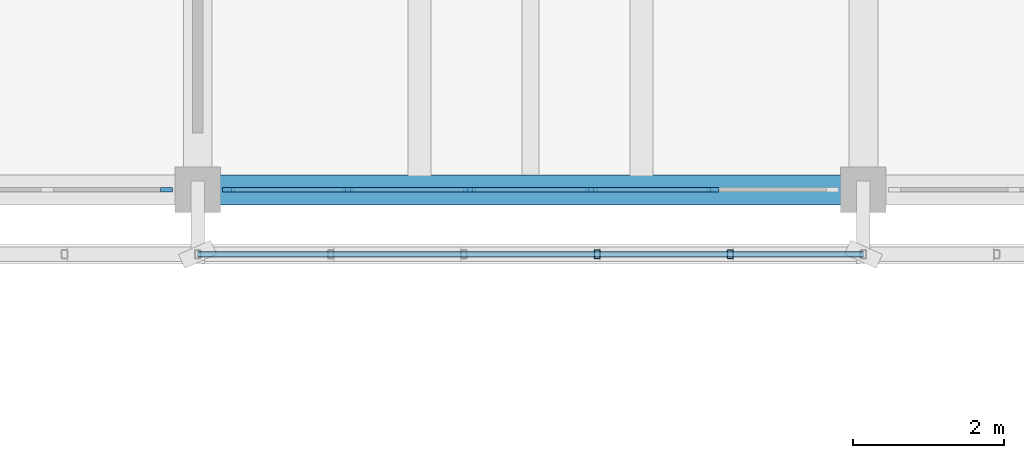
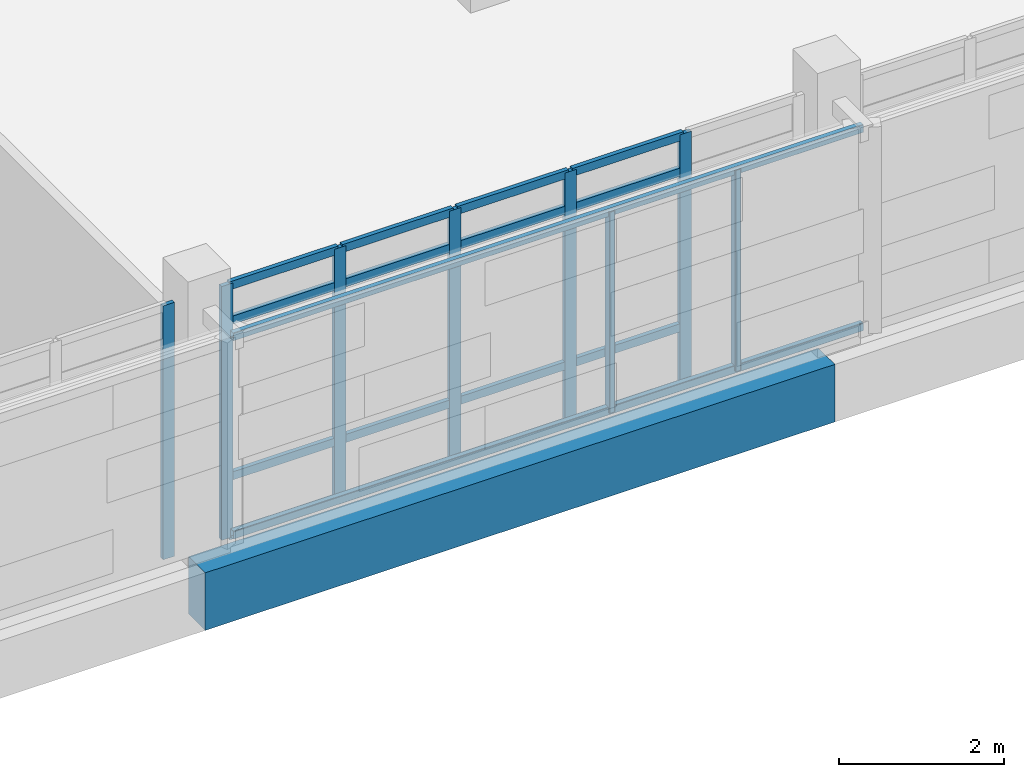
# One storey, part 65 of 137: 26 members, 1 beam, 2 elements without a shape of their own.
"""IFC4 building model written with IfcOpenShell, lengths in metres."""

from ifc_helpers import new_model, si_unit, direction, frame, origin, origin_2d, place, context, subcontext, project, spatial, rectangle, hollow_rectangle, extrude, material, material_profile, profile_set, type_object, element, aggregate, save


model = new_model("IFC4")

# Units and contexts
model_context = context("Model", 3, precision=1e-05, world=origin(), true_north=direction((0.0, 1.0)))
body_context = subcontext(model_context, "Body", "Model", "MODEL_VIEW")
ifc_project = project(units=[si_unit("LENGTHUNIT", "METRE"), si_unit("AREAUNIT", "SQUARE_METRE"), si_unit("VOLUMEUNIT", "CUBIC_METRE"), si_unit("PLANEANGLEUNIT", "RADIAN"), si_unit("MASSUNIT", "GRAM", prefix="KILO")], contexts=[model_context])

# Site, building, storey
site_placement = place(None, origin())
site = spatial("IfcSite", under=ifc_project, at=site_placement, CompositionType="ELEMENT")
building_placement = place(site_placement, origin())
building = spatial("IfcBuilding", under=site, at=building_placement, Name="Cinderway Yard Community Centre", CompositionType="ELEMENT")
storey_placement = place(building_placement, frame((0.0, 0.0, 4.800048828125)))
storey = spatial("IfcBuildingStorey", under=building, at=storey_placement, Name="L01", CompositionType="ELEMENT", Elevation=4.800048828125)

# Curtain wall, member
ifc_material_1 = material(Name="Aluminium 6063-T6", Category="aluminium")
curtain_wall_type = type_object("IfcCurtainWallType", Name="ENV-CW-TYPE-27", PredefinedType="USERDEFINED", material=ifc_material_1)
curtain_wall_1_placement = place(storey_placement, origin())
curtain_wall_1 = element("IfcCurtainWall", 1, at=curtain_wall_1_placement, inside=storey, type_object=curtain_wall_type, Name="V4 Courtyard Curtain Wall ENV-CW-L01-ST-0136", ObjectType="GLAZED CURTAIN WALL", PredefinedType="USERDEFINED")
ifc_material_profile_1 = material_profile(ifc_material_1, rectangle(XDim=0.06005859375, YDim=0.159912109375, at=origin_2d()), Name="Aluminium 6063-T6")
ifc_profile_set_1 = profile_set([ifc_material_profile_1], Name="Aluminium 6063-T6")
member_type_1 = type_object("IfcMemberType", Name="ENV-CW-MULL-150", PredefinedType="MULLION", material=ifc_profile_set_1)
member_1_placement = place(storey_placement, frame((127.590087890625, 90.0, 0.0), z_axis=(0.0, 0.0, 1.0), x_axis=(0.0, 1.0, 0.0)))
member_1 = element("IfcMember", 2, at=member_1_placement, type_object=member_type_1, Name="CW-27 mullion 6", PredefinedType="MULLION", context=body_context, shape_type="SweptSolid", body=[
    extrude(rectangle(XDim=0.06005859375, YDim=0.159912109375, at=origin_2d()), origin(), (0.0, 0.0, 1.0), 3.75),
])
aggregate(curtain_wall_1, [member_1])

# Curtain wall, members
curtain_wall_2_placement = place(storey_placement, origin())
curtain_wall_2 = element("IfcCurtainWall", 3, at=curtain_wall_2_placement, inside=storey, type_object=curtain_wall_type, Name="V4 Courtyard Curtain Wall ENV-CW-L01-ST-0137", ObjectType="GLAZED CURTAIN WALL", PredefinedType="USERDEFINED")
member_2_placement = place(storey_placement, frame((128.409912109375, 90.0, 0.0), z_axis=(0.0, 0.0, 1.0), x_axis=(0.0, 1.0, 0.0)))
member_2 = element("IfcMember", 4, at=member_2_placement, type_object=member_type_1, Name="CW-27 mullion 1", PredefinedType="MULLION", context=body_context, shape_type="SweptSolid", body=[
    extrude(rectangle(XDim=0.06005859375, YDim=0.159912109375, at=origin_2d()), origin(), (0.0, 0.0, 1.0), 3.75),
])
member_3_placement = place(storey_placement, frame((129.988037109375, 90.0, 0.0), z_axis=(0.0, 0.0, 1.0), x_axis=(0.0, 1.0, 0.0)))
member_3 = element("IfcMember", 5, at=member_3_placement, type_object=member_type_1, Name="CW-27 mullion 2", PredefinedType="MULLION", context=body_context, shape_type="SweptSolid", body=[
    extrude(rectangle(XDim=0.06005859375, YDim=0.159912109375, at=origin_2d()), origin(), (0.0, 0.0, 1.0), 3.75),
])
member_4_placement = place(storey_placement, frame((131.595947265625, 90.0, 0.0), z_axis=(0.0, 0.0, 1.0), x_axis=(0.0, 1.0, 0.0)))
member_4 = element("IfcMember", 6, at=member_4_placement, type_object=member_type_1, Name="CW-27 mullion 3", PredefinedType="MULLION", context=body_context, shape_type="SweptSolid", body=[
    extrude(rectangle(XDim=0.06005859375, YDim=0.159912109375, at=origin_2d()), origin(), (0.0, 0.0, 1.0), 3.75),
])
member_5_placement = place(storey_placement, frame((133.2041015625, 90.0, 0.0), z_axis=(0.0, 0.0, 1.0), x_axis=(0.0, 1.0, 0.0)))
member_5 = element("IfcMember", 7, at=member_5_placement, type_object=member_type_1, Name="CW-27 mullion 4", PredefinedType="MULLION", context=body_context, shape_type="SweptSolid", body=[
    extrude(rectangle(XDim=0.06005859375, YDim=0.159912109375, at=origin_2d()), origin(), (0.0, 0.0, 1.0), 3.75),
])
member_6_placement = place(storey_placement, frame((134.81201171875, 90.0, 0.0), z_axis=(0.0, 0.0, 1.0), x_axis=(0.0, 1.0, 0.0)))
member_6 = element("IfcMember", 8, at=member_6_placement, type_object=member_type_1, Name="CW-27 mullion 5", PredefinedType="MULLION", context=body_context, shape_type="SweptSolid", body=[
    extrude(rectangle(XDim=0.06005859375, YDim=0.159912109375, at=origin_2d()), origin(), (0.0, 0.0, 1.0), 3.75),
])
ifc_material_profile_2 = material_profile(ifc_material_1, rectangle(XDim=0.06005859375, YDim=0.1201171875, at=origin_2d()), Name="Aluminium 6063-T6")
ifc_profile_set_2 = profile_set([ifc_material_profile_2], Name="Aluminium 6063-T6")
member_type_2 = type_object("IfcMemberType", Name="ENV-CW-TRAN-110", PredefinedType="USERDEFINED", material=ifc_profile_set_2)
member_7_placement = place(storey_placement, frame((128.43994140625, 90.0, 0.030029296875), z_axis=(1.0, 0.0, 0.0), x_axis=(0.0, 1.0, 0.0)))
member_7 = element("IfcMember", 9, at=member_7_placement, type_object=member_type_2, Name="CW-27 transom 1.1", ObjectType="TRANSOM", PredefinedType="USERDEFINED", context=body_context, shape_type="SweptSolid", body=[
    extrude(rectangle(XDim=0.06005859375, YDim=0.1201171875, at=origin_2d()), origin(), (0.0, 0.0, 1.0), 1.51806640625),
])
member_8_placement = place(storey_placement, frame((128.43994140625, 90.0, 0.89990234375), z_axis=(1.0, 0.0, 0.0), x_axis=(0.0, 1.0, 0.0)))
member_8 = element("IfcMember", 10, at=member_8_placement, type_object=member_type_2, Name="CW-27 transom 1.2", ObjectType="TRANSOM", PredefinedType="USERDEFINED", context=body_context, shape_type="SweptSolid", body=[
    extrude(rectangle(XDim=0.06005859375, YDim=0.1201171875, at=origin_2d()), origin(), (0.0, 0.0, 1.0), 1.51806640625),
])
member_9_placement = place(storey_placement, frame((128.43994140625, 90.0, 3.199951171875), z_axis=(1.0, 0.0, 0.0), x_axis=(0.0, 1.0, 0.0)))
member_9 = element("IfcMember", 11, at=member_9_placement, type_object=member_type_2, Name="CW-27 transom 1.3", ObjectType="TRANSOM", PredefinedType="USERDEFINED", context=body_context, shape_type="SweptSolid", body=[
    extrude(rectangle(XDim=0.06005859375, YDim=0.1201171875, at=origin_2d()), origin(), (0.0, 0.0, 1.0), 1.51806640625),
])
member_10_placement = place(storey_placement, frame((128.43994140625, 90.0, 3.719970703125), z_axis=(1.0, 0.0, 0.0), x_axis=(0.0, 1.0, 0.0)))
member_10 = element("IfcMember", 12, at=member_10_placement, type_object=member_type_2, Name="CW-27 transom 1.4", ObjectType="TRANSOM", PredefinedType="USERDEFINED", context=body_context, shape_type="SweptSolid", body=[
    extrude(rectangle(XDim=0.06005859375, YDim=0.1201171875, at=origin_2d()), origin(), (0.0, 0.0, 1.0), 1.51806640625),
])
member_11_placement = place(storey_placement, frame((130.01806640625, 90.0, 0.030029296875), z_axis=(1.0, 0.0, 0.0), x_axis=(0.0, 1.0, 0.0)))
member_11 = element("IfcMember", 13, at=member_11_placement, type_object=member_type_2, Name="CW-27 transom 2.1", ObjectType="TRANSOM", PredefinedType="USERDEFINED", context=body_context, shape_type="SweptSolid", body=[
    extrude(rectangle(XDim=0.06005859375, YDim=0.1201171875, at=origin_2d()), origin(), (0.0, 0.0, 1.0), 1.5478515625),
])
member_12_placement = place(storey_placement, frame((130.01806640625, 90.0, 0.89990234375), z_axis=(1.0, 0.0, 0.0), x_axis=(0.0, 1.0, 0.0)))
member_12 = element("IfcMember", 14, at=member_12_placement, type_object=member_type_2, Name="CW-27 transom 2.2", ObjectType="TRANSOM", PredefinedType="USERDEFINED", context=body_context, shape_type="SweptSolid", body=[
    extrude(rectangle(XDim=0.06005859375, YDim=0.1201171875, at=origin_2d()), origin(), (0.0, 0.0, 1.0), 1.5478515625),
])
member_13_placement = place(storey_placement, frame((130.01806640625, 90.0, 3.199951171875), z_axis=(1.0, 0.0, 0.0), x_axis=(0.0, 1.0, 0.0)))
member_13 = element("IfcMember", 15, at=member_13_placement, type_object=member_type_2, Name="CW-27 transom 2.3", ObjectType="TRANSOM", PredefinedType="USERDEFINED", context=body_context, shape_type="SweptSolid", body=[
    extrude(rectangle(XDim=0.06005859375, YDim=0.1201171875, at=origin_2d()), origin(), (0.0, 0.0, 1.0), 1.5478515625),
])
member_14_placement = place(storey_placement, frame((130.01806640625, 90.0, 3.719970703125), z_axis=(1.0, 0.0, 0.0), x_axis=(0.0, 1.0, 0.0)))
member_14 = element("IfcMember", 16, at=member_14_placement, type_object=member_type_2, Name="CW-27 transom 2.4", ObjectType="TRANSOM", PredefinedType="USERDEFINED", context=body_context, shape_type="SweptSolid", body=[
    extrude(rectangle(XDim=0.06005859375, YDim=0.1201171875, at=origin_2d()), origin(), (0.0, 0.0, 1.0), 1.5478515625),
])
member_15_placement = place(storey_placement, frame((131.6259765625, 90.0, 0.030029296875), z_axis=(1.0, 0.0, 0.0), x_axis=(0.0, 1.0, 0.0)))
member_15 = element("IfcMember", 17, at=member_15_placement, type_object=member_type_2, Name="CW-27 transom 3.1", ObjectType="TRANSOM", PredefinedType="USERDEFINED", context=body_context, shape_type="SweptSolid", body=[
    extrude(rectangle(XDim=0.06005859375, YDim=0.1201171875, at=origin_2d()), origin(), (0.0, 0.0, 1.0), 1.548095703125),
])
member_16_placement = place(storey_placement, frame((131.6259765625, 90.0, 0.89990234375), z_axis=(1.0, 0.0, 0.0), x_axis=(0.0, 1.0, 0.0)))
member_16 = element("IfcMember", 18, at=member_16_placement, type_object=member_type_2, Name="CW-27 transom 3.2", ObjectType="TRANSOM", PredefinedType="USERDEFINED", context=body_context, shape_type="SweptSolid", body=[
    extrude(rectangle(XDim=0.06005859375, YDim=0.1201171875, at=origin_2d()), origin(), (0.0, 0.0, 1.0), 1.548095703125),
])
member_17_placement = place(storey_placement, frame((131.6259765625, 90.0, 3.199951171875), z_axis=(1.0, 0.0, 0.0), x_axis=(0.0, 1.0, 0.0)))
member_17 = element("IfcMember", 19, at=member_17_placement, type_object=member_type_2, Name="CW-27 transom 3.3", ObjectType="TRANSOM", PredefinedType="USERDEFINED", context=body_context, shape_type="SweptSolid", body=[
    extrude(rectangle(XDim=0.06005859375, YDim=0.1201171875, at=origin_2d()), origin(), (0.0, 0.0, 1.0), 1.548095703125),
])
member_18_placement = place(storey_placement, frame((131.6259765625, 90.0, 3.719970703125), z_axis=(1.0, 0.0, 0.0), x_axis=(0.0, 1.0, 0.0)))
member_18 = element("IfcMember", 20, at=member_18_placement, type_object=member_type_2, Name="CW-27 transom 3.4", ObjectType="TRANSOM", PredefinedType="USERDEFINED", context=body_context, shape_type="SweptSolid", body=[
    extrude(rectangle(XDim=0.06005859375, YDim=0.1201171875, at=origin_2d()), origin(), (0.0, 0.0, 1.0), 1.548095703125),
])
member_19_placement = place(storey_placement, frame((133.23388671875, 90.0, 0.030029296875), z_axis=(1.0, 0.0, 0.0), x_axis=(0.0, 1.0, 0.0)))
member_19 = element("IfcMember", 21, at=member_19_placement, type_object=member_type_2, Name="CW-27 transom 4.1", ObjectType="TRANSOM", PredefinedType="USERDEFINED", context=body_context, shape_type="SweptSolid", body=[
    extrude(rectangle(XDim=0.06005859375, YDim=0.1201171875, at=origin_2d()), origin(), (0.0, 0.0, 1.0), 1.548095703125),
])
member_20_placement = place(storey_placement, frame((133.23388671875, 90.0, 0.89990234375), z_axis=(1.0, 0.0, 0.0), x_axis=(0.0, 1.0, 0.0)))
member_20 = element("IfcMember", 22, at=member_20_placement, type_object=member_type_2, Name="CW-27 transom 4.2", ObjectType="TRANSOM", PredefinedType="USERDEFINED", context=body_context, shape_type="SweptSolid", body=[
    extrude(rectangle(XDim=0.06005859375, YDim=0.1201171875, at=origin_2d()), origin(), (0.0, 0.0, 1.0), 1.548095703125),
])
member_21_placement = place(storey_placement, frame((133.23388671875, 90.0, 3.199951171875), z_axis=(1.0, 0.0, 0.0), x_axis=(0.0, 1.0, 0.0)))
member_21 = element("IfcMember", 23, at=member_21_placement, type_object=member_type_2, Name="CW-27 transom 4.3", ObjectType="TRANSOM", PredefinedType="USERDEFINED", context=body_context, shape_type="SweptSolid", body=[
    extrude(rectangle(XDim=0.06005859375, YDim=0.1201171875, at=origin_2d()), origin(), (0.0, 0.0, 1.0), 1.548095703125),
])
member_22_placement = place(storey_placement, frame((133.23388671875, 90.0, 3.719970703125), z_axis=(1.0, 0.0, 0.0), x_axis=(0.0, 1.0, 0.0)))
member_22 = element("IfcMember", 24, at=member_22_placement, type_object=member_type_2, Name="CW-27 transom 4.4", ObjectType="TRANSOM", PredefinedType="USERDEFINED", context=body_context, shape_type="SweptSolid", body=[
    extrude(rectangle(XDim=0.06005859375, YDim=0.1201171875, at=origin_2d()), origin(), (0.0, 0.0, 1.0), 1.548095703125),
])
aggregate(curtain_wall_2, [member_2, member_3, member_4, member_5, member_6, member_7, member_8, member_9, member_10, member_11, member_12, member_13, member_14, member_15, member_16, member_17, member_18, member_19, member_20, member_21, member_22])

# Members
ifc_material_2 = material(Name="Steel S355", Category="steel")
ifc_material_profile_3 = material_profile(ifc_material_2, hollow_rectangle(XDim=0.080078125, YDim=0.1201171875, WallThickness=0.00634765625, InnerFilletRadius=0.00634765625, OuterFilletRadius=0.0126953125, at=origin_2d()), Name="Steel S355")
ifc_profile_set_3 = profile_set([ifc_material_profile_3], Name="Steel S355")
member_type_3 = type_object("IfcMemberType", Name="ENV-MEM-SCREEN-RAIL-120", PredefinedType="STRINGER", material=ifc_profile_set_3)
for number, where, z_axis, x_axis, name in (
    (25, (128.0, 89.14990234375, 0.7099609375), (1.0, 0.0, 0.0), (0.0, 1.0, 0.0), "Screen support rail 0398-BOT"),
    (26, (128.0, 89.14990234375, 3.639892578125), (1.0, 0.0, 0.0), (0.0, 1.0, 0.0), "Screen support rail 0399-TOP"),
):
    element("IfcMember", number, at=place(storey_placement, frame(where, z_axis=z_axis, x_axis=x_axis)), inside=storey, type_object=member_type_3, Name=name, PredefinedType="STRINGER", context=body_context, shape_type="SweptSolid", body=[
        extrude(hollow_rectangle(XDim=0.080078125, YDim=0.1201171875, WallThickness=0.00634765625, InnerFilletRadius=0.00634765625, OuterFilletRadius=0.0126953125, at=origin_2d()), origin(), (0.0, 0.0, 1.0), 8.800048828125),
    ])
for number, where, z_axis, x_axis, name in (
    (27, (133.280029296875, 89.14990234375, 0.68994140625), (0.0, 0.0, 1.0), (1.0, 0.0, 0.0), "Screen vertical mullion 0402"),
    (28, (135.0400390625, 89.14990234375, 0.68994140625), (0.0, 0.0, 1.0), (1.0, 0.0, 0.0), "Screen vertical mullion 0403"),
):
    element("IfcMember", number, at=place(storey_placement, frame(where, z_axis=z_axis, x_axis=x_axis)), inside=storey, type_object=member_type_3, Name=name, PredefinedType="STRINGER", context=body_context, shape_type="SweptSolid", body=[
        extrude(hollow_rectangle(XDim=0.080078125, YDim=0.1201171875, WallThickness=0.00634765625, InnerFilletRadius=0.00634765625, OuterFilletRadius=0.0126953125, at=origin_2d()), origin(), (0.0, 0.0, 1.0), 2.969970703125),
    ])

# Beam
ifc_material_3 = material(Name="Concrete C40/50", Category="concrete")
ifc_material_profile_4 = material_profile(ifc_material_3, rectangle(XDim=0.39990234375, YDim=0.85009765625, at=origin_2d()), Name="Concrete C40/50")
ifc_profile_set_4 = profile_set([ifc_material_profile_4], Name="Concrete C40/50")
beam_type = type_object("IfcBeamType", Name="STR-BM-RC400X850", PredefinedType="BEAM", material=ifc_profile_set_4)
beam_placement = place(storey_placement, frame((128.0, 90.0, -0.68505859375), z_axis=(1.0, 0.0, 0.0), x_axis=(0.0, 1.0, 0.0)))
element("IfcBeam", 29, at=beam_placement, inside=storey, type_object=beam_type, Name="Primary girder STR-BM-L01-BG04-0182", PredefinedType="BEAM", context=body_context, shape_type="SweptSolid", body=[
    extrude(rectangle(XDim=0.39990234375, YDim=0.85009765625, at=origin_2d()), origin(), (0.0, 0.0, 1.0), 8.800048828125),
])

save(model, "model.ifc")
